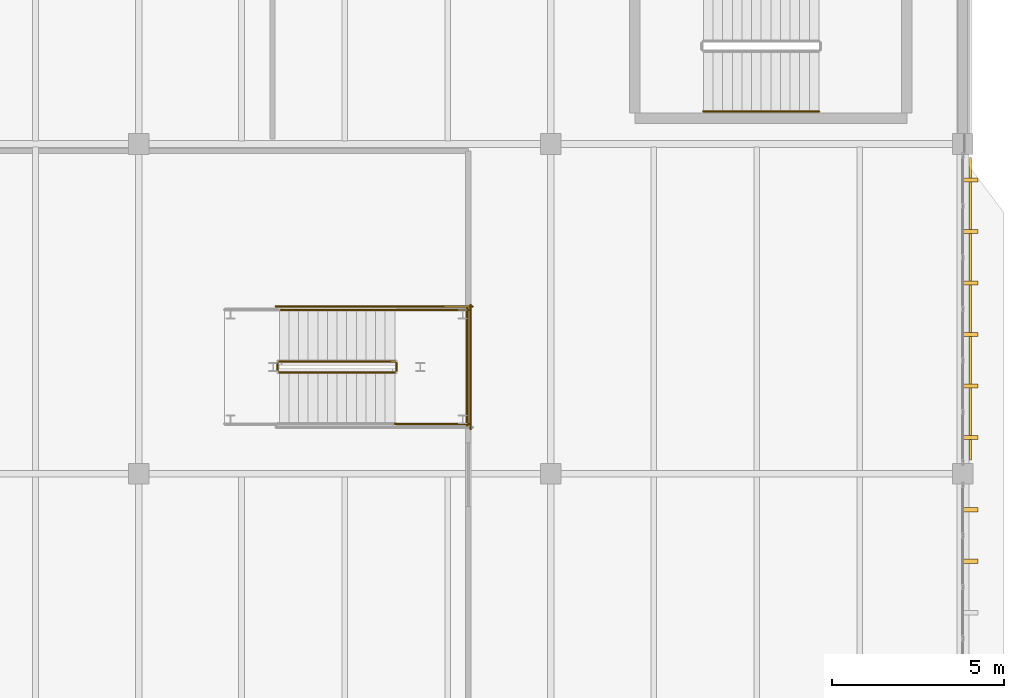
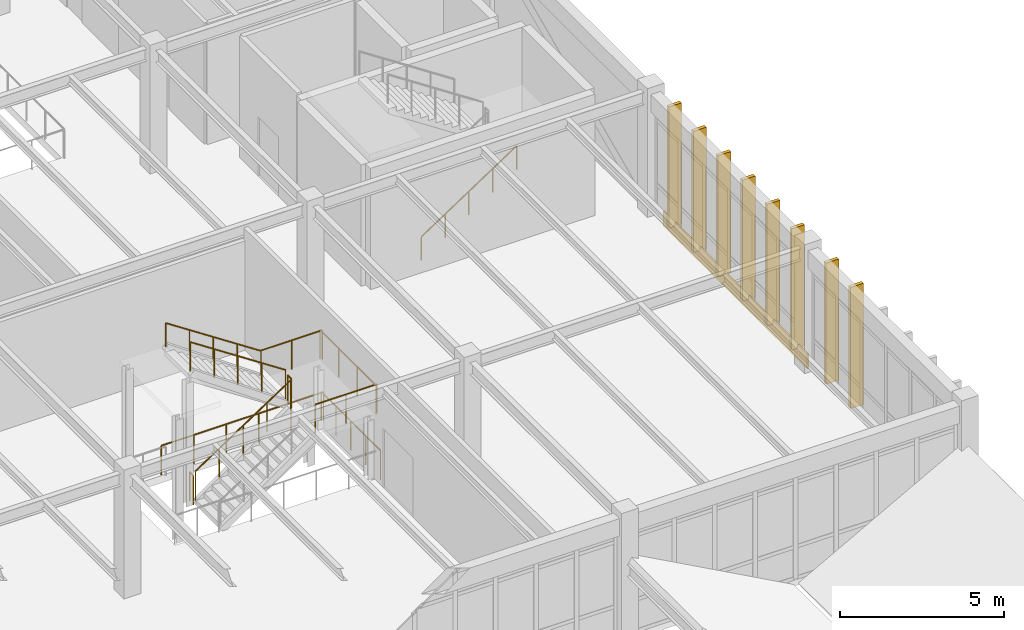
# One storey, part 231 of 236: 11 railings, 8 shading devices, 1 covering.
"""IFC4 building model written with IfcOpenShell, lengths in metres."""

from ifc_helpers import new_model, si_unit, direction, frame, origin, origin_2d, place, context, subcontext, project, spatial, rectangle, circle, extrude, material, layer, layer_set, type_object, element, save


model = new_model("IFC4")

# Units and contexts
model_context = context("Model", 3, precision=1e-05, world=origin(), true_north=direction((0.0, 1.0)))
body_context = subcontext(model_context, "Body", "Model", "MODEL_VIEW")
ifc_project = project(units=[si_unit("LENGTHUNIT", "METRE"), si_unit("AREAUNIT", "SQUARE_METRE"), si_unit("VOLUMEUNIT", "CUBIC_METRE"), si_unit("PLANEANGLEUNIT", "RADIAN"), si_unit("MASSUNIT", "GRAM", prefix="KILO")], contexts=[model_context])

# Site, building, storey
site_placement = place(None, origin())
site = spatial("IfcSite", under=ifc_project, at=site_placement, CompositionType="ELEMENT")
building_placement = place(site_placement, origin())
building = spatial("IfcBuilding", under=site, at=building_placement, Name="Pandanus Reach Market Hall", CompositionType="ELEMENT")
storey_placement = place(building_placement, frame((0.0, 0.0, 5.39990234375)))
storey = spatial("IfcBuildingStorey", under=building, at=storey_placement, Name="L01", CompositionType="ELEMENT", Elevation=5.39990234375)

# Covering
ifc_material_1 = material(Name="Precast concrete S50 (50 MPa)", Category="concrete")
ifc_layer = layer(ifc_material_1, 0.06005859375, Name="CLD-S50-60")
ifc_layer_set = layer_set([ifc_layer], Name="Precast concrete S50 (50 MPa)")
covering_type = type_object("IfcCoveringType", Name="CLD-S50-60", PredefinedType="CLADDING", material=ifc_layer_set)
covering_placement = place(storey_placement, frame((180.22998046875, 24.0, -0.4248046875), z_axis=(0.0, 0.0, 1.0), x_axis=(0.0, 1.0, 0.0)))
element("IfcCovering", 1, at=covering_placement, inside=storey, type_object=covering_type, Name="Precast spandrel cladding panel 1", PredefinedType="CLADDING", context=body_context, shape_type="SweptSolid", body=[
    extrude(rectangle(XDim=8.800048828125, YDim=0.06005859375, at=origin_2d()), origin(), (0.0, 0.0, 1.0), 0.550048828125),
])

# Shading devices
shading_device_type = type_object("IfcShadingDeviceType", Name="FN-S50-450", PredefinedType="JALOUSIE", material=ifc_material_1)
for number, where, z_axis, x_axis, name in (
    (2, (180.219970703125, 16.64990234375, -0.010009765625), (0.0, 0.0, 1.0), (1.0, 0.0, 0.0), "Precast brise-soleil fin 337"),
    (3, (180.219970703125, 18.14990234375, -0.010009765625), (0.0, 0.0, 1.0), (1.0, 0.0, 0.0), "Precast brise-soleil fin 338"),
    (4, (180.219970703125, 20.25, -0.010009765625), (0.0, 0.0, 1.0), (1.0, 0.0, 0.0), "Precast brise-soleil fin 339"),
    (5, (180.219970703125, 21.75, -0.010009765625), (0.0, 0.0, 1.0), (1.0, 0.0, 0.0), "Precast brise-soleil fin 340"),
    (6, (180.219970703125, 23.25, -0.010009765625), (0.0, 0.0, 1.0), (1.0, 0.0, 0.0), "Precast brise-soleil fin 341"),
    (7, (180.219970703125, 24.75, -0.010009765625), (0.0, 0.0, 1.0), (1.0, 0.0, 0.0), "Precast brise-soleil fin 342"),
    (8, (180.219970703125, 26.25, -0.010009765625), (0.0, 0.0, 1.0), (1.0, 0.0, 0.0), "Precast brise-soleil fin 343"),
    (9, (180.219970703125, 27.75, -0.010009765625), (0.0, 0.0, 1.0), (1.0, 0.0, 0.0), "Precast brise-soleil fin 344"),
):
    element("IfcShadingDevice", number, at=place(storey_placement, frame(where, z_axis=z_axis, x_axis=x_axis)), inside=storey, type_object=shading_device_type, Name=name, PredefinedType="JALOUSIE", context=body_context, shape_type="SweptSolid", body=[
        extrude(rectangle(XDim=0.449951171875, YDim=0.1201171875, at=origin_2d()), origin(), (0.0, 0.0, 1.0), 4.52001953125),
    ])

# Railings
ifc_material_2 = material(Name="Galvanised steel Grade 350 (350 MPa)", Category="steel")
railing_type_1 = type_object("IfcRailingType", Name="GR-INT-110", PredefinedType="GUARDRAIL", material=ifc_material_2)
railing_1_placement = place(storey_placement, frame((160.10009765625, 22.14990234375, 0.184814453125)))
element("IfcRailing", 10, at=railing_1_placement, inside=storey, type_object=railing_type_1, Name="Stair guard ST-11 L01.192", PredefinedType="GUARDRAIL", context=body_context, shape_type="SweptSolid", body=[
    extrude(circle(Radius=0.02392578125, at=origin_2d()), frame((0.0, 0.0, 1.076171875), z_axis=(0.834858096282, 0.0, 0.550465220583), x_axis=(0.0, 1.0, 0.0)), (0.0, 0.0, 1.0), 4.0244140625),
    extrude(circle(Radius=0.02099609375, at=origin_2d()), origin(), (0.0, 0.0, 1.0), 1.052001953125),
    extrude(circle(Radius=0.02099609375, at=origin_2d()), frame((0.83984375, 0.0, 0.5537109375)), (0.0, 0.0, 1.0), 1.052001953125),
    extrude(circle(Radius=0.02099609375, at=origin_2d()), frame((1.679931640625, 0.0, 1.107666015625)), (0.0, 0.0, 1.0), 1.052001953125),
    extrude(circle(Radius=0.02099609375, at=origin_2d()), frame((2.52001953125, 0.0, 1.66162109375)), (0.0, 0.0, 1.0), 1.052001953125),
    extrude(circle(Radius=0.02099609375, at=origin_2d()), frame((3.35986328125, 0.0, 2.21533203125)), (0.0, 0.0, 1.0), 1.052001953125),
])
railing_2_placement = place(storey_placement, frame((163.510009765625, 22.199951171875, 2.400146484375)))
element("IfcRailing", 11, at=railing_2_placement, inside=storey, type_object=railing_type_1, Name="Stair guard ST-11 L01.193", PredefinedType="GUARDRAIL", context=body_context, shape_type="SweptSolid", body=[
    extrude(circle(Radius=0.02392578125, at=origin_2d()), frame((0.0, 0.0, 1.076171875), z_axis=(0.0, 1.0, 0.0), x_axis=(-1.0, 0.0, 0.0)), (0.0, 0.0, 1.0), 0.219970703125),
    extrude(circle(Radius=0.02099609375, at=origin_2d()), origin(), (0.0, 0.0, 1.0), 1.052001953125),
    extrude(circle(Radius=0.02099609375, at=origin_2d()), frame((0.0, 0.219970703125, 0.0)), (0.0, 0.0, 1.0), 1.052001953125),
])
for number, where, name in (
    (12, (163.4599609375, 20.64990234375, 2.400146484375), "Stair guard ST-11 L01.194"),
    (13, (163.4599609375, 23.969970703125, 2.400146484375), "Stair guard ST-11 L01.195"),
):
    element("IfcRailing", number, at=place(storey_placement, frame(where)), inside=storey, type_object=railing_type_1, Name=name, PredefinedType="GUARDRAIL", context=body_context, shape_type="SweptSolid", body=[
        extrude(circle(Radius=0.02392578125, at=origin_2d()), frame((0.0, 0.0, 1.076171875), z_axis=(1.0, 0.0, 0.0), x_axis=(0.0, 1.0, 0.0)), (0.0, 0.0, 1.0), 2.16015625),
        extrude(circle(Radius=0.02099609375, at=origin_2d()), origin(), (0.0, 0.0, 1.0), 1.052001953125),
        extrude(circle(Radius=0.02099609375, at=origin_2d()), frame((1.080078125, 0.0, 0.0)), (0.0, 0.0, 1.0), 1.052001953125),
        extrude(circle(Radius=0.02099609375, at=origin_2d()), frame((2.16015625, 0.0, 0.0)), (0.0, 0.0, 1.0), 1.052001953125),
    ])
railing_3_placement = place(storey_placement, frame((165.570068359375, 20.60009765625, 2.400146484375)))
element("IfcRailing", 14, at=railing_3_placement, inside=storey, type_object=railing_type_1, Name="Stair guard ST-11 L01.196", PredefinedType="GUARDRAIL", context=body_context, shape_type="SweptSolid", body=[
    extrude(circle(Radius=0.02392578125, at=origin_2d()), frame((0.0, 0.0, 1.076171875), z_axis=(0.0, 1.0, 0.0), x_axis=(-1.0, 0.0, 0.0)), (0.0, 0.0, 1.0), 3.419921875),
    extrude(circle(Radius=0.02099609375, at=origin_2d()), origin(), (0.0, 0.0, 1.0), 1.052001953125),
    extrude(circle(Radius=0.02099609375, at=origin_2d()), frame((0.0, 1.139892578125, 0.0)), (0.0, 0.0, 1.0), 1.052001953125),
    extrude(circle(Radius=0.02099609375, at=origin_2d()), frame((0.0, 2.280029296875, 0.0)), (0.0, 0.0, 1.0), 1.052001953125),
    extrude(circle(Radius=0.02099609375, at=origin_2d()), frame((0.0, 3.419921875, 0.0)), (0.0, 0.0, 1.0), 1.052001953125),
])
railing_4_placement = place(storey_placement, frame((163.4599609375, 22.469970703125, 2.584716796875)))
element("IfcRailing", 15, at=railing_4_placement, inside=storey, type_object=railing_type_1, Name="Stair guard ST-11 L01.197", PredefinedType="GUARDRAIL", context=body_context, shape_type="SweptSolid", body=[
    extrude(circle(Radius=0.02392578125, at=origin_2d()), frame((0.0, 0.0, 1.076171875), z_axis=(-0.834858096282, 0.0, 0.550465220583), x_axis=(0.0, -1.0, 0.0)), (0.0, 0.0, 1.0), 4.0244140625),
    extrude(circle(Radius=0.02099609375, at=origin_2d()), origin(), (0.0, 0.0, 1.0), 1.052001953125),
    extrude(circle(Radius=0.02099609375, at=origin_2d()), frame((-0.83984375, 0.0, 0.5537109375)), (0.0, 0.0, 1.0), 1.052001953125),
    extrude(circle(Radius=0.02099609375, at=origin_2d()), frame((-1.679931640625, 0.0, 1.107666015625)), (0.0, 0.0, 1.0), 1.052001953125),
    extrude(circle(Radius=0.02099609375, at=origin_2d()), frame((-2.52001953125, 0.0, 1.66162109375)), (0.0, 0.0, 1.0), 1.052001953125),
    extrude(circle(Radius=0.02099609375, at=origin_2d()), frame((-3.35986328125, 0.0, 2.21533203125)), (0.0, 0.0, 1.0), 1.052001953125),
])
railing_5_placement = place(storey_placement, frame((160.050048828125, 22.199951171875, 0.0)))
element("IfcRailing", 16, at=railing_5_placement, inside=storey, type_object=railing_type_1, Name="Stair guard ST-11 L01.198", PredefinedType="GUARDRAIL", context=body_context, shape_type="SweptSolid", body=[
    extrude(circle(Radius=0.02392578125, at=origin_2d()), frame((0.0, 0.0, 1.076171875), z_axis=(0.0, 1.0, 0.0), x_axis=(-1.0, 0.0, 0.0)), (0.0, 0.0, 1.0), 0.219970703125),
    extrude(circle(Radius=0.02099609375, at=origin_2d()), origin(), (0.0, 0.0, 1.0), 1.052001953125),
    extrude(circle(Radius=0.02099609375, at=origin_2d()), frame((0.0, 0.219970703125, 0.0)), (0.0, 0.0, 1.0), 1.052001953125),
])
railing_6_placement = place(storey_placement, frame((160.0, 24.070068359375, 0.0)))
element("IfcRailing", 17, at=railing_6_placement, inside=storey, type_object=railing_type_1, Name="Stair guard ST-11 L01.202", PredefinedType="GUARDRAIL", context=body_context, shape_type="SweptSolid", body=[
    extrude(circle(Radius=0.02392578125, at=origin_2d()), frame((0.0, 0.0, 1.076171875), z_axis=(1.0, 0.0, 0.0), x_axis=(0.0, 1.0, 0.0)), (0.0, 0.0, 1.0), 5.719970703125),
    extrude(circle(Radius=0.02099609375, at=origin_2d()), origin(), (0.0, 0.0, 1.0), 1.052001953125),
    extrude(circle(Radius=0.02099609375, at=origin_2d()), frame((1.14404296875, 0.0, 0.0)), (0.0, 0.0, 1.0), 1.052001953125),
    extrude(circle(Radius=0.02099609375, at=origin_2d()), frame((2.2880859375, 0.0, 0.0)), (0.0, 0.0, 1.0), 1.052001953125),
    extrude(circle(Radius=0.02099609375, at=origin_2d()), frame((3.431884765625, 0.0, 0.0)), (0.0, 0.0, 1.0), 1.052001953125),
    extrude(circle(Radius=0.02099609375, at=origin_2d()), frame((4.575927734375, 0.0, 0.0)), (0.0, 0.0, 1.0), 1.052001953125),
    extrude(circle(Radius=0.02099609375, at=origin_2d()), frame((5.719970703125, 0.0, 0.0)), (0.0, 0.0, 1.0), 1.052001953125),
])
railing_7_placement = place(storey_placement, frame((165.669921875, 20.5, 0.0)))
element("IfcRailing", 18, at=railing_7_placement, inside=storey, type_object=railing_type_1, Name="Stair guard ST-11 L01.203", PredefinedType="GUARDRAIL", context=body_context, shape_type="SweptSolid", body=[
    extrude(circle(Radius=0.02392578125, at=origin_2d()), frame((0.0, 0.0, 1.076171875), z_axis=(0.0, 1.0, 0.0), x_axis=(-1.0, 0.0, 0.0)), (0.0, 0.0, 1.0), 3.6201171875),
    extrude(circle(Radius=0.02099609375, at=origin_2d()), origin(), (0.0, 0.0, 1.0), 1.052001953125),
    extrude(circle(Radius=0.02099609375, at=origin_2d()), frame((0.0, 0.905029296875, 0.0)), (0.0, 0.0, 1.0), 1.052001953125),
    extrude(circle(Radius=0.02099609375, at=origin_2d()), frame((0.0, 1.81005859375, 0.0)), (0.0, 0.0, 1.0), 1.052001953125),
    extrude(circle(Radius=0.02099609375, at=origin_2d()), frame((0.0, 2.715087890625, 0.0)), (0.0, 0.0, 1.0), 1.052001953125),
    extrude(circle(Radius=0.02099609375, at=origin_2d()), frame((0.0, 3.6201171875, 0.0)), (0.0, 0.0, 1.0), 1.052001953125),
])
ifc_material_3 = material(Name="Brushed stainless steel", Category="steel")
railing_type_2 = type_object("IfcRailingType", Name="HR-WAL-090", PredefinedType="HANDRAIL", material=ifc_material_3)
railing_8_placement = place(storey_placement, frame((172.449951171875, 29.75, 0.184814453125)))
element("IfcRailing", 19, at=railing_8_placement, inside=storey, type_object=railing_type_2, Name="Stair handrail ST-01 L01.17", PredefinedType="HANDRAIL", context=body_context, shape_type="SweptSolid", body=[
    extrude(circle(Radius=0.02392578125, at=origin_2d()), frame((0.0, 0.0, 0.8759765625), z_axis=(0.834876476806, 0.0, 0.550437342915), x_axis=(0.0, 1.0, 0.0)), (0.0, 0.0, 1.0), 4.024658203125),
    extrude(circle(Radius=0.02099609375, at=origin_2d()), origin(), (0.0, 0.0, 1.0), 0.851806640625),
    extrude(circle(Radius=0.02099609375, at=origin_2d()), frame((0.840087890625, 0.0, 0.5537109375)), (0.0, 0.0, 1.0), 0.851806640625),
    extrude(circle(Radius=0.02099609375, at=origin_2d()), frame((1.68017578125, 0.0, 1.107666015625)), (0.0, 0.0, 1.0), 0.851806640625),
    extrude(circle(Radius=0.02099609375, at=origin_2d()), frame((2.52001953125, 0.0, 1.66162109375)), (0.0, 0.0, 1.0), 0.851806640625),
    extrude(circle(Radius=0.02099609375, at=origin_2d()), frame((3.360107421875, 0.0, 2.21533203125)), (0.0, 0.0, 1.0), 0.851806640625),
])
railing_9_placement = place(storey_placement, frame((163.4599609375, 23.969970703125, 2.584716796875)))
element("IfcRailing", 20, at=railing_9_placement, inside=storey, type_object=railing_type_2, Name="Stair handrail ST-11 L01.205", PredefinedType="HANDRAIL", context=body_context, shape_type="SweptSolid", body=[
    extrude(circle(Radius=0.02392578125, at=origin_2d()), frame((0.0, 0.0, 0.8759765625), z_axis=(-0.834858096282, 0.0, 0.550465220583), x_axis=(0.0, -1.0, 0.0)), (0.0, 0.0, 1.0), 4.0244140625),
    extrude(circle(Radius=0.02099609375, at=origin_2d()), origin(), (0.0, 0.0, 1.0), 0.851806640625),
    extrude(circle(Radius=0.02099609375, at=origin_2d()), frame((-0.83984375, 0.0, 0.5537109375)), (0.0, 0.0, 1.0), 0.851806640625),
    extrude(circle(Radius=0.02099609375, at=origin_2d()), frame((-1.679931640625, 0.0, 1.107666015625)), (0.0, 0.0, 1.0), 0.851806640625),
    extrude(circle(Radius=0.02099609375, at=origin_2d()), frame((-2.52001953125, 0.0, 1.66162109375)), (0.0, 0.0, 1.0), 0.851806640625),
    extrude(circle(Radius=0.02099609375, at=origin_2d()), frame((-3.35986328125, 0.0, 2.21533203125)), (0.0, 0.0, 1.0), 0.851806640625),
])

save(model, "model.ifc")
